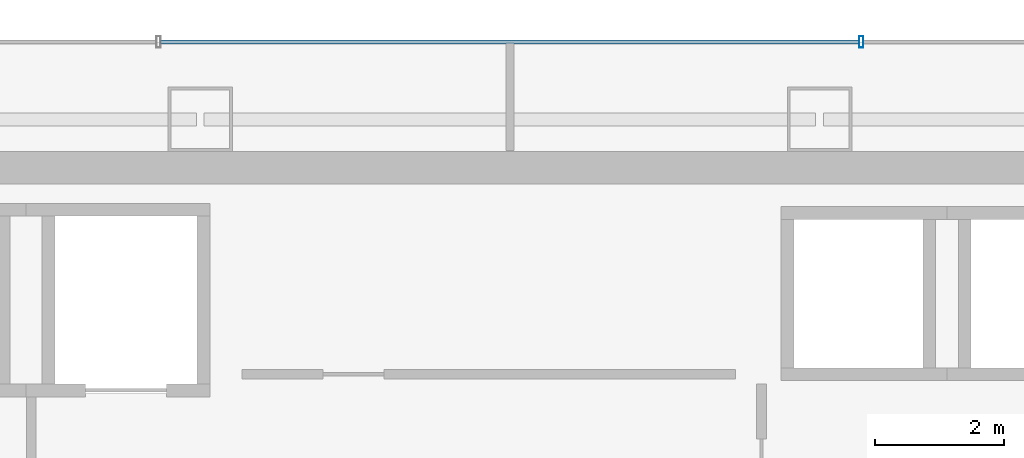
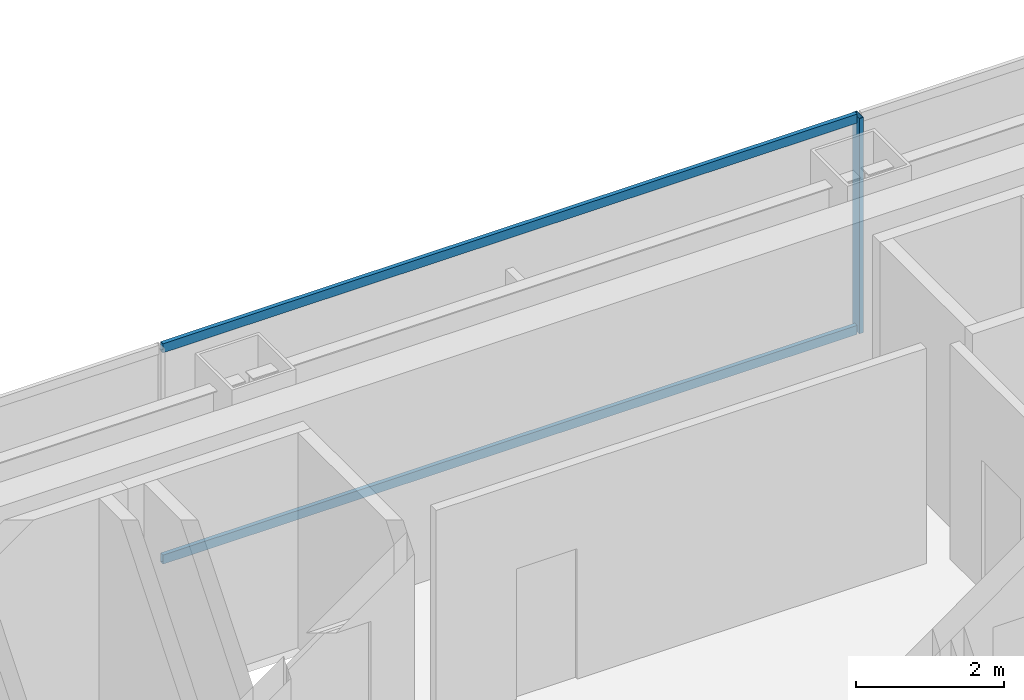
# One storey, part 24 of 36: 3 members, 1 element without a shape of its own.
"""IFC4 building model written with IfcOpenShell, lengths in metres."""

from ifc_helpers import new_model, si_unit, direction, frame, origin, origin_2d, place, context, subcontext, project, spatial, hollow_rectangle, extrude, material, material_profile, profile_set, type_object, element, aggregate, save


model = new_model("IFC4")

# Units and contexts
model_context = context("Model", 3, precision=1e-05, world=origin(), true_north=direction((0.0, 1.0)))
body_context = subcontext(model_context, "Body", "Model", "MODEL_VIEW")
ifc_project = project(units=[si_unit("LENGTHUNIT", "METRE"), si_unit("AREAUNIT", "SQUARE_METRE"), si_unit("VOLUMEUNIT", "CUBIC_METRE"), si_unit("PLANEANGLEUNIT", "RADIAN"), si_unit("MASSUNIT", "GRAM", prefix="KILO")], contexts=[model_context])

# Site, building, storey
site_placement = place(None, origin())
site = spatial("IfcSite", under=ifc_project, at=site_placement, CompositionType="ELEMENT")
building_placement = place(site_placement, origin())
building = spatial("IfcBuilding", under=site, at=building_placement, Name="Saevonmaru Cultural Tower", CompositionType="ELEMENT")
storey_placement = place(building_placement, frame((0.0, 0.0, 156.199951171875)))
storey = spatial("IfcBuildingStorey", under=building, at=storey_placement, Name="L34", CompositionType="ELEMENT", Elevation=156.199951171875)

# Curtain wall, members
ifc_material = material(Name="Satin Bronze Anodised Aluminium", Category="aluminium")
curtain_wall_type = type_object("IfcCurtainWallType", Name="CW-TYP-A", PredefinedType="NOTDEFINED", material=ifc_material)
curtain_wall_placement = place(storey_placement, origin())
curtain_wall = element("IfcCurtainWall", 1, at=curtain_wall_placement, inside=storey, type_object=curtain_wall_type, Name="L34 North Spine Unitised Curtain Wall E10B", PredefinedType="NOTDEFINED")
ifc_material_profile_1 = material_profile(ifc_material, hollow_rectangle(XDim=0.06494140625, YDim=0.179931640625, WallThickness=0.00390625, at=origin_2d()), Name="ALU-MULL-180x65x4")
ifc_profile_set_1 = profile_set([ifc_material_profile_1], Name="Satin Bronze Anodised Aluminium")
member_type_1 = type_object("IfcMemberType", Name="ML-CW-180x65", PredefinedType="MULLION", material=ifc_profile_set_1)
member_1_placement = place(storey_placement, frame((35.44677734375, 56.0, 0.0), z_axis=(0.0, 0.0, 1.0), x_axis=(-1.0, 0.0, 0.0)))
member_1 = element("IfcMember", 2, at=member_1_placement, type_object=member_type_1, Name="CW-TW-L34-E10B mullion 2", PredefinedType="MULLION", context=body_context, shape_type="SweptSolid", body=[
    extrude(hollow_rectangle(XDim=0.06494140625, YDim=0.179931640625, WallThickness=0.00390625, at=origin_2d()), origin(), (0.0, 0.0, 1.0), 3.550048828125),
])
ifc_material_profile_2 = material_profile(ifc_material, hollow_rectangle(XDim=0.06494140625, YDim=0.14990234375, WallThickness=0.00390625, at=origin_2d()), Name="ALU-TRAN-150x65x4")
ifc_profile_set_2 = profile_set([ifc_material_profile_2], Name="Satin Bronze Anodised Aluminium")
member_type_2 = type_object("IfcMemberType", Name="TR-CW-150x65", PredefinedType="USERDEFINED", material=ifc_profile_set_2)
member_2_placement = place(storey_placement, frame((35.4140625, 56.0, 0.032470703125), z_axis=(-1.0, 0.0, 0.0), x_axis=(0.0, -1.0, 0.0)))
member_2 = element("IfcMember", 3, at=member_2_placement, type_object=member_type_2, Name="CW-TW-L34-E10B transom 2.1", ObjectType="TRANSOM", PredefinedType="USERDEFINED", context=body_context, shape_type="SweptSolid", body=[
    extrude(hollow_rectangle(XDim=0.06494140625, YDim=0.14990234375, WallThickness=0.00390625, at=origin_2d()), origin(), (0.0, 0.0, 1.0), 10.828125),
])
member_3_placement = place(storey_placement, frame((35.4140625, 56.0, 3.517578125), z_axis=(-1.0, 0.0, 0.0), x_axis=(0.0, -1.0, 0.0)))
member_3 = element("IfcMember", 4, at=member_3_placement, type_object=member_type_2, Name="CW-TW-L34-E10B transom 2.2", ObjectType="TRANSOM", PredefinedType="USERDEFINED", context=body_context, shape_type="SweptSolid", body=[
    extrude(hollow_rectangle(XDim=0.06494140625, YDim=0.14990234375, WallThickness=0.00390625, at=origin_2d()), origin(), (0.0, 0.0, 1.0), 10.828125),
])
aggregate(curtain_wall, [member_1, member_2, member_3])

save(model, "model.ifc")
